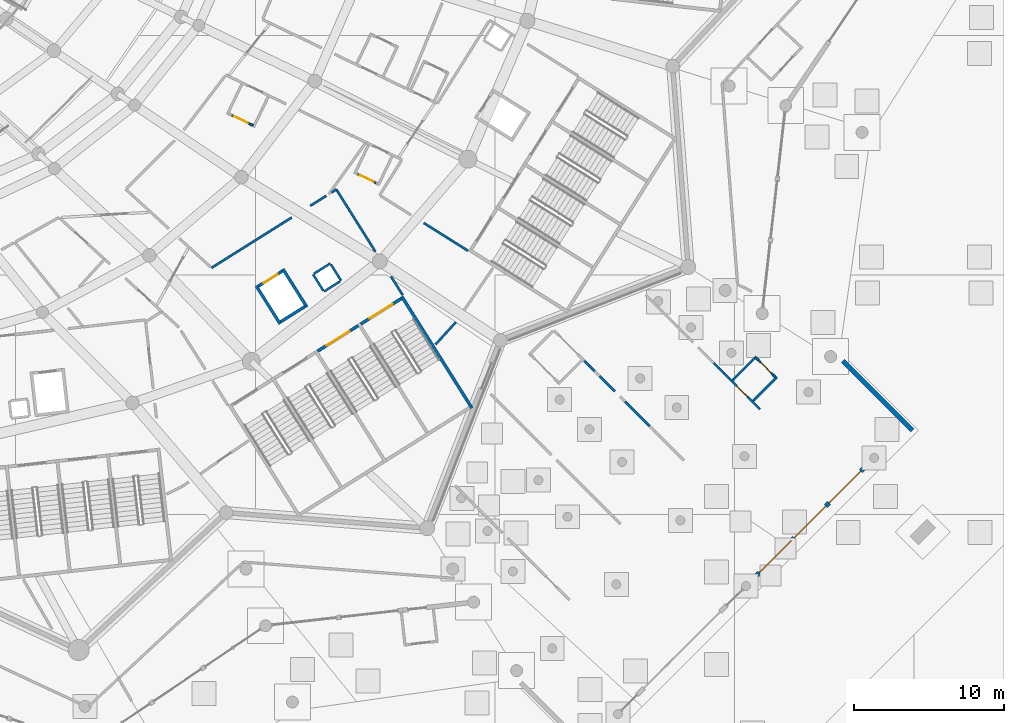
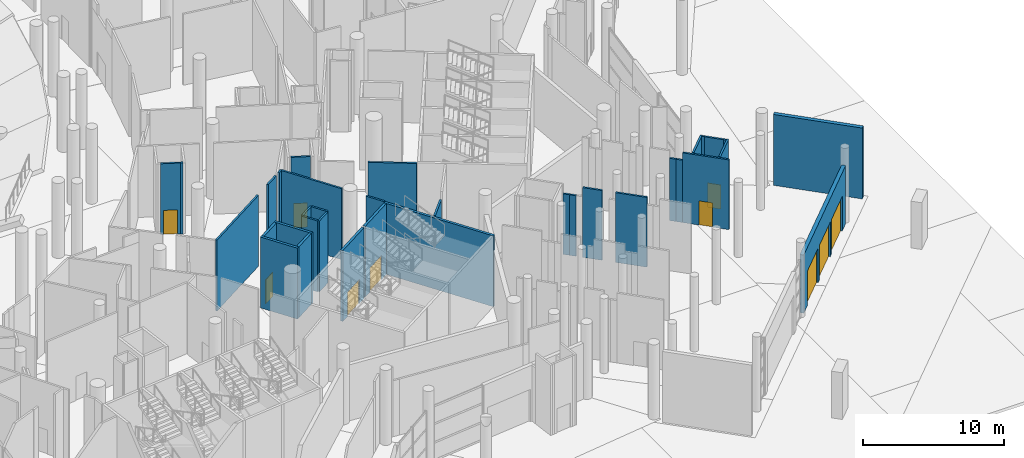
# One storey, part 124 of 255: 35 walls, 10 doors, 10 openings.
"""IFC4 building model written with IfcOpenShell, lengths in metres."""

from ifc_helpers import new_model, si_unit, direction, frame, frame_2d, origin, place, context, subcontext, project, spatial, rectangle, extrude, material, layer, layer_set, type_object, element, fill, save


model = new_model("IFC4")

# Units and contexts
model_context = context("Model", 3, precision=1e-05, world=origin(), true_north=direction((0.0, 1.0)))
body_context = subcontext(model_context, "Body", "Model", "MODEL_VIEW")
ifc_project = project(units=[si_unit("LENGTHUNIT", "METRE"), si_unit("AREAUNIT", "SQUARE_METRE"), si_unit("VOLUMEUNIT", "CUBIC_METRE"), si_unit("PLANEANGLEUNIT", "RADIAN"), si_unit("MASSUNIT", "GRAM", prefix="KILO")], contexts=[model_context])

# Site, building, storey
site_placement = place(None, origin())
site = spatial("IfcSite", under=ifc_project, at=site_placement, CompositionType="ELEMENT")
building_placement = place(site_placement, origin())
building = spatial("IfcBuilding", under=site, at=building_placement, Name="Meseta Stadium", CompositionType="ELEMENT")
storey_placement = place(building_placement, origin())
storey = spatial("IfcBuildingStorey", under=building, at=storey_placement, Name="L00", CompositionType="ELEMENT", Elevation=0.0)

# Wall
ifc_material_1 = material(Name="Concrete C40/50", Category="concrete")
ifc_layer_1 = layer(ifc_material_1, 0.199951171875)
ifc_layer_set_1 = layer_set([ifc_layer_1], Name="Core shaft wall 200")
wall_type_1 = type_object("IfcWallType", Name="Core shaft wall 200", PredefinedType="SHEAR", material=ifc_layer_set_1)
wall_1_placement = place(storey_placement, frame((78.4658203125, -88.8876953125, 0.0), z_axis=(0.0, 0.0, 1.0), x_axis=(-0.532032334759, 0.846724036963, 0.0)))
element("IfcWall", 1, at=wall_1_placement, inside=storey, type_object=wall_type_1, Name="Core 27 L00 stair wall B-side", PredefinedType="SHEAR", context=body_context, shape_type="SweptSolid", body=[
    extrude(rectangle(XDim=8.800048828125, YDim=0.199951171875, at=frame_2d((4.39990234375, 0.0))), origin(), (0.0, 0.0, 1.0), 6.14990234375),
])

# Wall, opening, door
wall_2_placement = place(storey_placement, frame((68.1640625, -85.0859375, 0.0), z_axis=(0.0, 0.0, 1.0), x_axis=(0.84670136309, 0.53206841829, 0.0)))
wall_2 = element("IfcWall", 2, at=wall_2_placement, inside=storey, type_object=wall_type_1, Name="Core 27 L00 stair B1 inner end wall", PredefinedType="SHEAR", context=body_context, shape_type="SweptSolid", body=[
    extrude(rectangle(XDim=3.199951171875, YDim=0.199951171875, at=frame_2d((1.60009765625, 0.0))), origin(), (0.0, 0.0, 1.0), 6.14990234375),
])
opening_1_placement = place(wall_2_placement, frame((0.699951171875, 0.0, 0.0)))
opening_1 = element("IfcOpeningElement", 3, at=opening_1_placement, cuts=wall_2, Name="Opening D359", PredefinedType="OPENING", context=body_context, shape_type="SweptSolid", body=[
    extrude(rectangle(XDim=1.800048828125, YDim=2.10009765625, at=frame_2d((0.89990234375, 1.050048828125))), frame((0.0, 0.10986328125, 0.0), z_axis=(0.0, -1.0, 0.0), x_axis=(1.0, 0.0, 0.0)), (0.0, 0.0, 1.0), 0.219970703125),
])
ifc_material_2 = material(Name="Steel", Category="steel")
door_type_1 = type_object("IfcDoorType", Name="Stair door 1800x2100", OperationType="DOUBLE_DOOR_SINGLE_SWING", PredefinedType="DOOR", material=ifc_material_2)
door_1_placement = place(opening_1_placement, origin())
door_1 = element("IfcDoor", 4, at=door_1_placement, inside=storey, type_object=door_type_1, Name="Stair B1 door 27 L00", OperationType="DOUBLE_DOOR_SINGLE_SWING", OverallHeight=2.10009765625, OverallWidth=1.800048828125, PredefinedType="DOOR", context=body_context, shape_type="SweptSolid", body=[
    extrude(rectangle(XDim=1.800048828125, YDim=2.10009765625, at=frame_2d((0.89990234375, 1.050048828125))), frame((0.0, 0.02490234375, 0.0), z_axis=(0.0, -1.0, 0.0), x_axis=(1.0, 0.0, 0.0)), (0.0, 0.0, 1.0), 0.050048828125),
])
fill(opening_1, door_1)

wall_3_placement = place(storey_placement, frame((71.04296875, -83.27685546875, 0.0), z_axis=(0.0, 0.0, 1.0), x_axis=(0.846735733015, 0.532013720158, 0.0)))
wall_3 = element("IfcWall", 5, at=wall_3_placement, inside=storey, type_object=wall_type_1, Name="Core 27 L00 stair B2 inner end wall", PredefinedType="SHEAR", context=body_context, shape_type="SweptSolid", body=[
    extrude(rectangle(XDim=3.199951171875, YDim=0.199951171875, at=frame_2d((1.60009765625, 0.0))), origin(), (0.0, 0.0, 1.0), 6.14990234375),
])
opening_2_placement = place(wall_3_placement, frame((0.699951171875, 0.0, 0.0)))
opening_2 = element("IfcOpeningElement", 6, at=opening_2_placement, cuts=wall_3, Name="Opening D360", PredefinedType="OPENING", context=body_context, shape_type="SweptSolid", body=[
    extrude(rectangle(XDim=1.800048828125, YDim=2.10009765625, at=frame_2d((0.89990234375, 1.050048828125))), frame((0.0, 0.10986328125, 0.0), z_axis=(0.0, -1.0, 0.0), x_axis=(1.0, 0.0, 0.0)), (0.0, 0.0, 1.0), 0.219970703125),
])
door_2_placement = place(opening_2_placement, origin())
door_2 = element("IfcDoor", 7, at=door_2_placement, inside=storey, type_object=door_type_1, Name="Stair B2 door 27 L00", OperationType="DOUBLE_DOOR_SINGLE_SWING", OverallHeight=2.10009765625, OverallWidth=1.800048828125, PredefinedType="DOOR", context=body_context, shape_type="SweptSolid", body=[
    extrude(rectangle(XDim=1.800048828125, YDim=2.10009765625, at=frame_2d((0.89990234375, 1.050048828125))), frame((0.0, 0.02490234375, 0.0), z_axis=(0.0, -1.0, 0.0), x_axis=(1.0, 0.0, 0.0)), (0.0, 0.0, 1.0), 0.050048828125),
])
fill(opening_2, door_2)

# Walls
wall_4_placement = place(storey_placement, frame((65.658935546875, -83.260498046875, 0.0), z_axis=(0.0, 0.0, 1.0), x_axis=(-0.532074873955, 0.846697306306, 0.0)))
element("IfcWall", 8, at=wall_4_placement, inside=storey, type_object=wall_type_1, Name="Core 27 L00 lift shaft wall left", PredefinedType="SHEAR", context=body_context, shape_type="SweptSolid", body=[
    extrude(rectangle(XDim=3.0, YDim=0.199951171875, at=frame_2d((1.5, 0.0))), origin(), (0.0, 0.0, 1.0), 6.14990234375),
])
wall_5_placement = place(storey_placement, frame((67.43701171875, -82.143310546875, 0.0), z_axis=(0.0, 0.0, 1.0), x_axis=(-0.532038212918, 0.84672034344, 0.0)))
element("IfcWall", 9, at=wall_5_placement, inside=storey, type_object=wall_type_1, Name="Core 27 L00 lift shaft wall right", PredefinedType="SHEAR", context=body_context, shape_type="SweptSolid", body=[
    extrude(rectangle(XDim=3.000244140625, YDim=0.199951171875, at=frame_2d((1.5, 0.0))), origin(), (0.0, 0.0, 1.0), 6.14990234375),
])
wall_6_placement = place(storey_placement, frame((65.6904296875, -83.122802734375, 0.0), z_axis=(0.0, 0.0, 1.0), x_axis=(0.846674592738, 0.532111016623, 0.0)))
element("IfcWall", 10, at=wall_6_placement, inside=storey, type_object=wall_type_1, Name="Core 27 L00 lift shaft back wall", PredefinedType="SHEAR", context=body_context, shape_type="SweptSolid", body=[
    extrude(rectangle(XDim=1.89990234375, YDim=0.199951171875, at=frame_2d((0.949951171875, 0.0))), origin(), (0.0, 0.0, 1.0), 6.14990234375),
])

# Wall, opening, door
wall_7_placement = place(storey_placement, frame((64.20068359375, -80.751708984375, 0.0), z_axis=(0.0, 0.0, 1.0), x_axis=(0.846768850524, 0.531961007765, 0.0)))
wall_7 = element("IfcWall", 11, at=wall_7_placement, inside=storey, type_object=wall_type_1, Name="Core 27 L00 lift shaft front wall", PredefinedType="SHEAR", context=body_context, shape_type="SweptSolid", body=[
    extrude(rectangle(XDim=1.900146484375, YDim=0.199951171875, at=frame_2d((0.9501953125, 0.0))), origin(), (0.0, 0.0, 1.0), 6.14990234375),
])
opening_3_placement = place(wall_7_placement, frame((0.39990234375, 0.0, 0.0)))
opening_3 = element("IfcOpeningElement", 12, at=opening_3_placement, cuts=wall_7, Name="Opening LD147", PredefinedType="OPENING", context=body_context, shape_type="SweptSolid", body=[
    extrude(rectangle(XDim=1.10009765625, YDim=2.10009765625, at=frame_2d((0.550048828125, 1.050048828125))), frame((0.0, 0.10986328125, 0.0), z_axis=(0.0, -1.0, 0.0), x_axis=(1.0, 0.0, 0.0)), (0.0, 0.0, 1.0), 0.219970703125),
])
ifc_material_3 = material(Name="Steel", Category="steel")
door_type_2 = type_object("IfcDoorType", Name="Lift landing door 1100x2100", OperationType="SLIDING_TO_LEFT", PredefinedType="DOOR", material=ifc_material_3)
door_3_placement = place(opening_3_placement, origin())
door_3 = element("IfcDoor", 13, at=door_3_placement, inside=storey, type_object=door_type_2, Name="Lift landing door LD147", OperationType="SLIDING_TO_LEFT", OverallHeight=2.10009765625, OverallWidth=1.10009765625, PredefinedType="DOOR", context=body_context, shape_type="SweptSolid", body=[
    extrude(rectangle(XDim=1.10009765625, YDim=2.10009765625, at=frame_2d((0.550048828125, 1.050048828125))), frame((0.0, 0.02490234375, 0.0), z_axis=(0.0, -1.0, 0.0), x_axis=(1.0, 0.0, 0.0)), (0.0, 0.0, 1.0), 0.050048828125),
])
fill(opening_3, door_3)

# Wall, openings, doors
ifc_material_4 = material(Name="Precast concrete C40/50", Category="concrete")
ifc_layer_2 = layer(ifc_material_4, 0.300048828125)
ifc_layer_set_2 = layer_set([ifc_layer_2], Name="Gate facade panel wall 300")
wall_type_2 = type_object("IfcWallType", Name="Gate facade panel wall 300", PredefinedType="SOLIDWALL", material=ifc_layer_set_2)
wall_8_placement = place(storey_placement, frame((105.114013671875, -92.426513671875, 0.0), z_axis=(0.0, 0.0, 1.0), x_axis=(-0.707106781187, -0.707106781187, 0.0)))
wall_8 = element("IfcWall", 14, at=wall_8_placement, inside=storey, type_object=wall_type_2, Name="Gate 8 entrance wall", PredefinedType="SOLIDWALL", context=body_context, shape_type="SweptSolid", body=[
    extrude(rectangle(XDim=11.499755859375, YDim=0.300048828125, at=frame_2d((5.75, 0.0))), origin(), (0.0, 0.0, 1.0), 5.050048828125),
])
opening_4_placement = place(wall_8_placement, frame((7.550048828125, 0.0, 0.0)))
opening_4 = element("IfcOpeningElement", 15, at=opening_4_placement, cuts=wall_8, Name="Opening D028", PredefinedType="OPENING", context=body_context, shape_type="SweptSolid", body=[
    extrude(rectangle(XDim=3.0, YDim=3.0, at=frame_2d((1.5, 1.5))), frame((0.0, 0.159912109375, 0.0), z_axis=(0.0, -1.0, 0.0), x_axis=(1.0, 0.0, 0.0)), (0.0, 0.0, 1.0), 0.320068359375),
])
opening_5_placement = place(wall_8_placement, frame((4.25, 0.0, 0.0)))
opening_5 = element("IfcOpeningElement", 16, at=opening_5_placement, cuts=wall_8, Name="Opening D029", PredefinedType="OPENING", context=body_context, shape_type="SweptSolid", body=[
    extrude(rectangle(XDim=3.0, YDim=3.0, at=frame_2d((1.5, 1.5))), frame((0.0, 0.159912109375, 0.0), z_axis=(0.0, -1.0, 0.0), x_axis=(1.0, 0.0, 0.0)), (0.0, 0.0, 1.0), 0.320068359375),
])
opening_6_placement = place(wall_8_placement, frame((0.949951171875, 0.0, 0.0)))
opening_6 = element("IfcOpeningElement", 17, at=opening_6_placement, cuts=wall_8, Name="Opening D030", PredefinedType="OPENING", context=body_context, shape_type="SweptSolid", body=[
    extrude(rectangle(XDim=3.0, YDim=3.0, at=frame_2d((1.5, 1.5))), frame((0.0, 0.159912109375, 0.0), z_axis=(0.0, -1.0, 0.0), x_axis=(1.0, 0.0, 0.0)), (0.0, 0.0, 1.0), 0.320068359375),
])
ifc_material_5 = material(Name="Steel", Category="steel")
door_type_3 = type_object("IfcDoorType", Name="Pedestrian exit door 3000x3000", OperationType="DOUBLE_DOOR_SINGLE_SWING", PredefinedType="DOOR", material=ifc_material_5)
door_4_placement = place(opening_4_placement, origin())
door_4 = element("IfcDoor", 18, at=door_4_placement, inside=storey, type_object=door_type_3, Name="Pedestrian exit gate G8", OperationType="DOUBLE_DOOR_SINGLE_SWING", OverallHeight=3.0, OverallWidth=3.0, PredefinedType="DOOR", context=body_context, shape_type="SweptSolid", body=[
    extrude(rectangle(XDim=3.0, YDim=3.0, at=frame_2d((1.5, 1.5))), frame((0.0, 0.02490234375, 0.0), z_axis=(0.0, -1.0, 0.0), x_axis=(1.0, 0.0, 0.0)), (0.0, 0.0, 1.0), 0.050048828125),
])
fill(opening_4, door_4)
door_5_placement = place(opening_5_placement, origin())
door_5 = element("IfcDoor", 19, at=door_5_placement, inside=storey, type_object=door_type_3, Name="Pedestrian exit gate G8", OperationType="DOUBLE_DOOR_SINGLE_SWING", OverallHeight=3.0, OverallWidth=3.0, PredefinedType="DOOR", context=body_context, shape_type="SweptSolid", body=[
    extrude(rectangle(XDim=3.0, YDim=3.0, at=frame_2d((1.5, 1.5))), frame((0.0, 0.02490234375, 0.0), z_axis=(0.0, -1.0, 0.0), x_axis=(1.0, 0.0, 0.0)), (0.0, 0.0, 1.0), 0.050048828125),
])
fill(opening_5, door_5)
door_6_placement = place(opening_6_placement, origin())
door_6 = element("IfcDoor", 20, at=door_6_placement, inside=storey, type_object=door_type_3, Name="Pedestrian exit gate G8", OperationType="DOUBLE_DOOR_SINGLE_SWING", OverallHeight=3.0, OverallWidth=3.0, PredefinedType="DOOR", context=body_context, shape_type="SweptSolid", body=[
    extrude(rectangle(XDim=3.0, YDim=3.0, at=frame_2d((1.5, 1.5))), frame((0.0, 0.02490234375, 0.0), z_axis=(0.0, -1.0, 0.0), x_axis=(1.0, 0.0, 0.0)), (0.0, 0.0, 1.0), 0.050048828125),
])
fill(opening_6, door_6)

# Walls
wall_9_placement = place(storey_placement, frame((103.238525390625, -85.742431640625, 0.0), z_axis=(0.0, 0.0, 1.0), x_axis=(0.707106781187, -0.707106781187, 0.0)))
element("IfcWall", 21, at=wall_9_placement, inside=storey, type_object=wall_type_2, Name="Gate 8 side wall", PredefinedType="SOLIDWALL", context=body_context, shape_type="SweptSolid", body=[
    extrude(rectangle(XDim=6.552490234375, YDim=0.300048828125, at=frame_2d((3.2763671875, 0.0))), origin(), (0.0, 0.0, 1.0), 6.14990234375),
])
ifc_material_6 = material(Name="Masonry blockwork", Category="masonry")
ifc_layer_3 = layer(ifc_material_6, 0.14990234375)
ifc_layer_set_3 = layer_set([ifc_layer_3], Name="Partition 150")
wall_type_3 = type_object("IfcWallType", Name="Partition 150", PredefinedType="PARTITIONING", material=ifc_layer_set_3)
for number, where, z_axis, x_axis, name in (
    (22, (85.979736328125, -85.737060546875, 0.0), (0.0, 0.0, 1.0), (0.707106781187, -0.707106781187, 0.0), "Partition L00 G8-L00-2-TicketHall-0"),
    (23, (86.318115234375, -86.075439453125, 0.0), (0.0, 0.0, 1.0), (0.707106781187, -0.707106781187, 0.0), "Partition L00 G8-L00-2-TicketHall-0"),
):
    element("IfcWall", number, at=place(storey_placement, frame(where, z_axis=z_axis, x_axis=x_axis)), inside=storey, type_object=wall_type_3, Name=name, PredefinedType="PARTITIONING", context=body_context, shape_type="SweptSolid", body=[
        extrude(rectangle(XDim=0.478515625, YDim=0.14990234375, at=frame_2d((0.2392578125, 0.0))), origin(), (0.0, 0.0, 1.0), 5.25),
    ])
wall_10_placement = place(storey_placement, frame((86.994873046875, -86.752197265625, 0.0), z_axis=(0.0, 0.0, 1.0), x_axis=(0.707106781187, -0.707106781187, 0.0)))
element("IfcWall", 24, at=wall_10_placement, inside=storey, type_object=wall_type_3, Name="Partition L00 G8-L00-2-TicketHall-0", PredefinedType="PARTITIONING", context=body_context, shape_type="SweptSolid", body=[
    extrude(rectangle(XDim=1.43603515625, YDim=0.14990234375, at=frame_2d((0.718017578125, 0.0))), origin(), (0.0, 0.0, 1.0), 6.050048828125),
])
wall_11_placement = place(storey_placement, frame((88.69970703125, -88.457275390625, 0.0), z_axis=(0.0, 0.0, 1.0), x_axis=(0.707159560196, -0.707053998237, 0.0)))
element("IfcWall", 25, at=wall_11_placement, inside=storey, type_object=wall_type_3, Name="Partition L00 G8-L00-2-TicketHall-0", PredefinedType="PARTITIONING", context=body_context, shape_type="SweptSolid", body=[
    extrude(rectangle(XDim=2.312744140625, YDim=0.14990234375, at=frame_2d((1.15625, 0.0))), origin(), (0.0, 0.0, 1.0), 6.050048828125),
])
for number, where, z_axis, x_axis, name in (
    (26, (94.6123046875, -85.88427734375, 0.0), (0.0, 0.0, 1.0), (0.707106781187, -0.707106781187, 0.0), "Partition L00 G8-L00-3-EntranceHall-0"),
    (27, (94.955810546875, -86.227783203125, 0.0), (0.0, 0.0, 1.0), (0.707106781187, -0.707106781187, 0.0), "Partition L00 G8-L00-3-EntranceHall-0"),
):
    element("IfcWall", number, at=place(storey_placement, frame(where, z_axis=z_axis, x_axis=x_axis)), inside=storey, type_object=wall_type_3, Name=name, PredefinedType="PARTITIONING", context=body_context, shape_type="SweptSolid", body=[
        extrude(rectangle(XDim=0.48583984375, YDim=0.14990234375, at=frame_2d((0.242919921875, 0.0))), origin(), (0.0, 0.0, 1.0), 5.39990234375),
    ])

# Wall, opening, door
wall_12_placement = place(storey_placement, frame((97.704345703125, -88.9765625, 0.0), z_axis=(0.0, 0.0, 1.0), x_axis=(-0.707070891996, 0.707142668556, 0.0)))
wall_12 = element("IfcWall", 28, at=wall_12_placement, inside=storey, type_object=wall_type_3, Name="Partition L00 G8-L00-3-EntranceHall-0", PredefinedType="PARTITIONING", context=body_context, shape_type="SweptSolid", body=[
    extrude(rectangle(XDim=3.4013671875, YDim=0.14990234375, at=frame_2d((1.70068359375, 0.0))), origin(), (0.0, 0.0, 1.0), 6.050048828125),
])
opening_7_placement = place(wall_12_placement, frame((1.201416015625, 0.0, 0.0)))
opening_7 = element("IfcOpeningElement", 29, at=opening_7_placement, cuts=wall_12, Name="Opening D534", PredefinedType="OPENING", context=body_context, shape_type="SweptSolid", body=[
    extrude(rectangle(XDim=1.0, YDim=2.10009765625, at=frame_2d((0.5, 1.050048828125))), frame((0.0, 0.0849609375, 0.0), z_axis=(0.0, -1.0, 0.0), x_axis=(1.0, 0.0, 0.0)), (0.0, 0.0, 1.0), 0.169921875),
])
ifc_material_7 = material(Name="Steel", Category="steel")
door_type_4 = type_object("IfcDoorType", Name="Fire door 1000x2100 EI2 60", OperationType="NOTDEFINED", PredefinedType="DOOR", material=ifc_material_7)
door_7_placement = place(opening_7_placement, origin())
door_7 = element("IfcDoor", 30, at=door_7_placement, inside=storey, type_object=door_type_4, Name="Door D534", OperationType="SINGLE_SWING_LEFT", OverallHeight=2.10009765625, OverallWidth=1.0, PredefinedType="DOOR", context=body_context, shape_type="SweptSolid", body=[
    extrude(rectangle(XDim=1.0, YDim=2.10009765625, at=frame_2d((0.5, 1.050048828125))), frame((0.0, 0.02490234375, 0.0), z_axis=(0.0, -1.0, 0.0), x_axis=(1.0, 0.0, 0.0)), (0.0, 0.0, 1.0), 0.050048828125),
])
fill(opening_7, door_7)

# Walls
wall_13_placement = place(storey_placement, frame((68.737060546875, -74.712646484375, 0.0), z_axis=(0.0, 0.0, 1.0), x_axis=(-0.846733767691, -0.53201684809, 0.0)))
element("IfcWall", 31, at=wall_13_placement, inside=storey, type_object=wall_type_3, Name="Partition L00 L00-cell26-1-0", PredefinedType="PARTITIONING", context=body_context, shape_type="SweptSolid", body=[
    extrude(rectangle(XDim=1.260498046875, YDim=0.14990234375, at=frame_2d((0.63037109375, 0.0))), origin(), (0.0, 0.0, 1.0), 6.14990234375),
])
wall_14_placement = place(storey_placement, frame((66.433837890625, -76.159912109375, 0.0), z_axis=(0.0, 0.0, 1.0), x_axis=(-0.846724993081, -0.532030813105, 0.0)))
element("IfcWall", 32, at=wall_14_placement, inside=storey, type_object=wall_type_3, Name="Partition L00 L00-cell26-1-0", PredefinedType="PARTITIONING", context=body_context, shape_type="SweptSolid", body=[
    extrude(rectangle(XDim=6.324462890625, YDim=0.14990234375, at=frame_2d((3.162109375, 0.0))), origin(), (0.0, 0.0, 1.0), 6.14990234375),
])
wall_15_placement = place(storey_placement, frame((73.847412109375, -81.349609375, 0.0), z_axis=(0.0, 0.0, 1.0), x_axis=(-0.532025444809, 0.846728366169, 0.0)))
element("IfcWall", 33, at=wall_15_placement, inside=storey, type_object=wall_type_3, Name="Partition L00 L00-cell26-2-0", PredefinedType="PARTITIONING", context=body_context, shape_type="SweptSolid", body=[
    extrude(rectangle(XDim=1.4716796875, YDim=0.14990234375, at=frame_2d((0.73583984375, 0.0))), origin(), (0.0, 0.0, 1.0), 6.14990234375),
])
wall_16_placement = place(storey_placement, frame((72.0205078125, -78.4423828125, 0.0), z_axis=(0.0, 0.0, 1.0), x_axis=(-0.532042078101, 0.846717914733, 0.0)))
element("IfcWall", 34, at=wall_16_placement, inside=storey, type_object=wall_type_3, Name="Partition L00 L00-cell26-2-0", PredefinedType="PARTITIONING", context=body_context, shape_type="SweptSolid", body=[
    extrude(rectangle(XDim=4.905029296875, YDim=0.14990234375, at=frame_2d((2.45263671875, 0.0))), origin(), (0.0, 0.0, 1.0), 6.14990234375),
])
wall_17_placement = place(storey_placement, frame((69.410888671875, -74.289306640625, 0.0), z_axis=(0.0, 0.0, 1.0), x_axis=(-0.84669301854, -0.532081697069, 0.0)))
element("IfcWall", 35, at=wall_17_placement, inside=storey, type_object=wall_type_3, Name="Partition L00 L00-cell26-2-0", PredefinedType="PARTITIONING", context=body_context, shape_type="SweptSolid", body=[
    extrude(rectangle(XDim=0.3896484375, YDim=0.14990234375, at=frame_2d((0.19482421875, 0.0))), origin(), (0.0, 0.0, 1.0), 6.14990234375),
])
wall_18_placement = place(storey_placement, frame((75.24951171875, -76.52783203125, 0.0), z_axis=(0.0, 0.0, 1.0), x_axis=(0.846726843036, -0.532027868897, 0.0)))
element("IfcWall", 36, at=wall_18_placement, inside=storey, type_object=wall_type_3, Name="Partition L00 L00-cell26-2-0", PredefinedType="PARTITIONING", context=body_context, shape_type="SweptSolid", body=[
    extrude(rectangle(XDim=3.480224609375, YDim=0.14990234375, at=frame_2d((1.740234375, 0.0))), origin(), (0.0, 0.0, 1.0), 6.14990234375),
])
wall_19_placement = place(storey_placement, frame((77.400146484375, -83.14501953125, 0.0), z_axis=(0.0, 0.0, 1.0), x_axis=(-0.674206513209, -0.738542874548, 0.0)))
element("IfcWall", 37, at=wall_19_placement, inside=storey, type_object=wall_type_3, Name="Partition L00 L00-cell26-2-0", PredefinedType="PARTITIONING", context=body_context, shape_type="SweptSolid", body=[
    extrude(rectangle(XDim=2.0263671875, YDim=0.14990234375, at=frame_2d((1.01318359375, 0.0))), origin(), (0.0, 0.0, 1.0), 6.14990234375),
])
for number, where, z_axis, x_axis, name in (
    (38, (68.58203125, -81.09912109375, 0.0), (0.0, 0.0, 1.0), (0.846683377265, 0.532097038765, 0.0), "Pressurisation shaft wall L00 core 27"),
    (39, (69.72509765625, -80.380859375, 0.0), (0.0, 0.0, 1.0), (-0.532097038765, 0.846683377265, 0.0), "Pressurisation shaft wall L00 core 27"),
):
    element("IfcWall", number, at=place(storey_placement, frame(where, z_axis=z_axis, x_axis=x_axis)), inside=storey, type_object=wall_type_3, Name=name, PredefinedType="PARTITIONING", context=body_context, shape_type="SweptSolid", body=[
        extrude(rectangle(XDim=1.275146484375, YDim=0.14990234375, at=frame_2d((0.6376953125, 0.0))), origin(), (0.0, 0.0, 1.0), 6.14990234375),
    ])
for number, where, z_axis, x_axis, name in (
    (40, (69.0068359375, -79.23779296875, 0.0), (0.0, 0.0, 1.0), (-0.846769635862, -0.531959757672, 0.0), "Pressurisation shaft wall L00 core 27"),
    (41, (67.86376953125, -79.9560546875, 0.0), (0.0, 0.0, 1.0), (0.531959757672, -0.846769635862, 0.0), "Pressurisation shaft wall L00 core 27"),
):
    element("IfcWall", number, at=place(storey_placement, frame(where, z_axis=z_axis, x_axis=x_axis)), inside=storey, type_object=wall_type_3, Name=name, PredefinedType="PARTITIONING", context=body_context, shape_type="SweptSolid", body=[
        extrude(rectangle(XDim=1.27490234375, YDim=0.14990234375, at=frame_2d((0.637451171875, 0.0))), origin(), (0.0, 0.0, 1.0), 6.14990234375),
    ])
for number, where, z_axis, x_axis, name in (
    (42, (97.243896484375, -88.409912109375, 0.0), (0.0, 0.0, 1.0), (0.707106781187, 0.707106781187, 0.0), "Partition L00 G8-L00-4-SecurityScreening-0 vestibule"),
    (43, (95.864990234375, -87.031005859375, 0.0), (0.0, 0.0, 1.0), (0.707106781187, 0.707106781187, 0.0), "Partition L00 G8-L00-4-SecurityScreening-0 vestibule"),
):
    element("IfcWall", number, at=place(storey_placement, frame(where, z_axis=z_axis, x_axis=x_axis)), inside=storey, type_object=wall_type_3, Name=name, PredefinedType="PARTITIONING", context=body_context, shape_type="SweptSolid", body=[
        extrude(rectangle(XDim=2.25, YDim=0.14990234375, at=frame_2d((1.125, 0.0))), origin(), (0.0, 0.0, 1.0), 6.10009765625),
    ])
wall_20_placement = place(storey_placement, frame((98.728759765625, -86.81884765625, 0.0), z_axis=(0.0, 0.0, 1.0), x_axis=(-0.707106781187, 0.707106781187, 0.0)))
element("IfcWall", 44, at=wall_20_placement, inside=storey, type_object=wall_type_3, Name="Partition L00 G8-L00-4-SecurityScreening-0 vestibule", PredefinedType="PARTITIONING", context=body_context, shape_type="SweptSolid", body=[
    extrude(rectangle(XDim=0.199951171875, YDim=0.14990234375, at=frame_2d((0.10009765625, 0.0))), origin(), (0.0, 0.0, 1.0), 6.10009765625),
])

# Wall, opening, door
wall_21_placement = place(storey_placement, frame((98.58740234375, -86.677490234375, 0.0), z_axis=(0.0, 0.0, 1.0), x_axis=(-0.707106781187, 0.707106781187, 0.0)))
wall_21 = element("IfcWall", 45, at=wall_21_placement, inside=storey, type_object=wall_type_3, Name="Partition L00 G8-L00-4-SecurityScreening-0 vestibule", PredefinedType="PARTITIONING", context=body_context, shape_type="SweptSolid", body=[
    extrude(rectangle(XDim=1.400146484375, YDim=0.14990234375, at=frame_2d((0.7001953125, 0.0))), origin(), (0.0, 0.0, 1.0), 6.10009765625),
])
opening_8_placement = place(wall_21_placement, frame((0.199951171875, 0.0, 0.0)))
opening_8 = element("IfcOpeningElement", 46, at=opening_8_placement, cuts=wall_21, Name="Opening D818", PredefinedType="OPENING", context=body_context, shape_type="SweptSolid", body=[
    extrude(rectangle(XDim=1.0, YDim=2.10009765625, at=frame_2d((0.5, 1.050048828125))), frame((0.0, 0.0849609375, 0.0), z_axis=(0.0, -1.0, 0.0), x_axis=(1.0, 0.0, 0.0)), (0.0, 0.0, 1.0), 0.169921875),
])
door_8_placement = place(opening_8_placement, origin())
door_8 = element("IfcDoor", 47, at=door_8_placement, inside=storey, type_object=door_type_4, Name="Vestibule door L00 G8-L00-4-SecurityScreening-0", OperationType="SINGLE_SWING_LEFT", OverallHeight=2.10009765625, OverallWidth=1.0, PredefinedType="DOOR", context=body_context, shape_type="SweptSolid", body=[
    extrude(rectangle(XDim=1.0, YDim=2.10009765625, at=frame_2d((0.5, 1.050048828125))), frame((0.0, 0.02490234375, 0.0), z_axis=(0.0, -1.0, 0.0), x_axis=(1.0, 0.0, 0.0)), (0.0, 0.0, 1.0), 0.050048828125),
])
fill(opening_8, door_8)

# Wall
wall_22_placement = place(storey_placement, frame((97.597412109375, -85.6875, 0.0), z_axis=(0.0, 0.0, 1.0), x_axis=(-0.707106781187, 0.707106781187, 0.0)))
element("IfcWall", 48, at=wall_22_placement, inside=storey, type_object=wall_type_3, Name="Partition L00 G8-L00-4-SecurityScreening-0 vestibule", PredefinedType="PARTITIONING", context=body_context, shape_type="SweptSolid", body=[
    extrude(rectangle(XDim=0.199951171875, YDim=0.14990234375, at=frame_2d((0.10009765625, 0.0))), origin(), (0.0, 0.0, 1.0), 6.10009765625),
])

# Wall, opening, door
wall_23_placement = place(storey_placement, frame((62.411865234375, -69.321533203125, 0.0), z_axis=(0.0, 0.0, 1.0), x_axis=(0.901226230947, -0.433348913294, 0.0)))
wall_23 = element("IfcWall", 49, at=wall_23_placement, inside=storey, type_object=wall_type_3, Name="Partition L00 L00-cell26-1-0 vestibule", PredefinedType="PARTITIONING", context=body_context, shape_type="SweptSolid", body=[
    extrude(rectangle(XDim=1.39990234375, YDim=0.14990234375, at=frame_2d((0.699951171875, 0.0))), origin(), (0.0, 0.0, 1.0), 6.14990234375),
])
opening_9_placement = place(wall_23_placement, frame((0.199951171875, 0.0, 0.0)))
opening_9 = element("IfcOpeningElement", 50, at=opening_9_placement, cuts=wall_23, Name="Opening D865", PredefinedType="OPENING", context=body_context, shape_type="SweptSolid", body=[
    extrude(rectangle(XDim=1.0, YDim=2.10009765625, at=frame_2d((0.5, 1.050048828125))), frame((0.0, 0.0849609375, 0.0), z_axis=(0.0, -1.0, 0.0), x_axis=(1.0, 0.0, 0.0)), (0.0, 0.0, 1.0), 0.169921875),
])
door_9_placement = place(opening_9_placement, origin())
door_9 = element("IfcDoor", 51, at=door_9_placement, inside=storey, type_object=door_type_4, Name="Vestibule door L00 L00-cell26-1-0", OperationType="SINGLE_SWING_LEFT", OverallHeight=2.10009765625, OverallWidth=1.0, PredefinedType="DOOR", context=body_context, shape_type="SweptSolid", body=[
    extrude(rectangle(XDim=1.0, YDim=2.10009765625, at=frame_2d((0.5, 1.050048828125))), frame((0.0, 0.02490234375, 0.0), z_axis=(0.0, -1.0, 0.0), x_axis=(1.0, 0.0, 0.0)), (0.0, 0.0, 1.0), 0.050048828125),
])
fill(opening_9, door_9)

# Wall
wall_24_placement = place(storey_placement, frame((63.673583984375, -69.92822265625, 0.0), z_axis=(0.0, 0.0, 1.0), x_axis=(0.901160703759, -0.433485162377, 0.0)))
element("IfcWall", 52, at=wall_24_placement, inside=storey, type_object=wall_type_3, Name="Partition L00 L00-cell26-1-0 vestibule", PredefinedType="PARTITIONING", context=body_context, shape_type="SweptSolid", body=[
    extrude(rectangle(XDim=0.199951171875, YDim=0.14990234375, at=frame_2d((0.10009765625, 0.0))), origin(), (0.0, 0.0, 1.0), 6.14990234375),
])

# Wall, opening, door
wall_25_placement = place(storey_placement, frame((70.82080078125, -73.254638671875, 0.0), z_axis=(0.0, 0.0, 1.0), x_axis=(0.901226230947, -0.433348913294, 0.0)))
wall_25 = element("IfcWall", 53, at=wall_25_placement, inside=storey, type_object=wall_type_3, Name="Partition L00 L00-cell26-2-0 vestibule", PredefinedType="PARTITIONING", context=body_context, shape_type="SweptSolid", body=[
    extrude(rectangle(XDim=1.39990234375, YDim=0.14990234375, at=frame_2d((0.699951171875, 0.0))), origin(), (0.0, 0.0, 1.0), 6.14990234375),
])
opening_10_placement = place(wall_25_placement, frame((0.199951171875, 0.0, 0.0)))
opening_10 = element("IfcOpeningElement", 54, at=opening_10_placement, cuts=wall_25, Name="Opening D866", PredefinedType="OPENING", context=body_context, shape_type="SweptSolid", body=[
    extrude(rectangle(XDim=1.0, YDim=2.10009765625, at=frame_2d((0.5, 1.050048828125))), frame((0.0, 0.0849609375, 0.0), z_axis=(0.0, -1.0, 0.0), x_axis=(1.0, 0.0, 0.0)), (0.0, 0.0, 1.0), 0.169921875),
])
door_10_placement = place(opening_10_placement, origin())
door_10 = element("IfcDoor", 55, at=door_10_placement, inside=storey, type_object=door_type_4, Name="Vestibule door L00 L00-cell26-2-0", OperationType="SINGLE_SWING_RIGHT", OverallHeight=2.10009765625, OverallWidth=1.0, PredefinedType="DOOR", context=body_context, shape_type="SweptSolid", body=[
    extrude(rectangle(XDim=1.0, YDim=2.10009765625, at=frame_2d((0.5, 1.050048828125))), frame((0.0, 0.02490234375, 0.0), z_axis=(0.0, -1.0, 0.0), x_axis=(1.0, 0.0, 0.0)), (0.0, 0.0, 1.0), 0.050048828125),
])
fill(opening_10, door_10)

save(model, "model.ifc")
